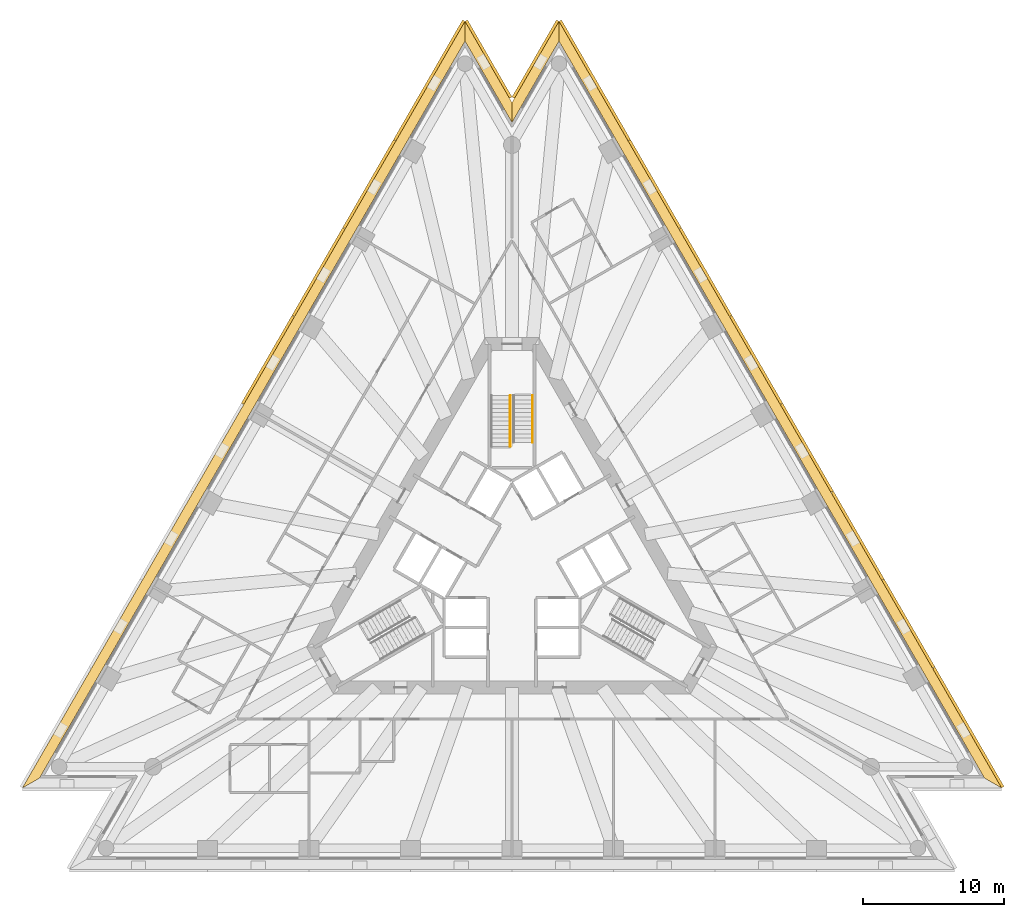
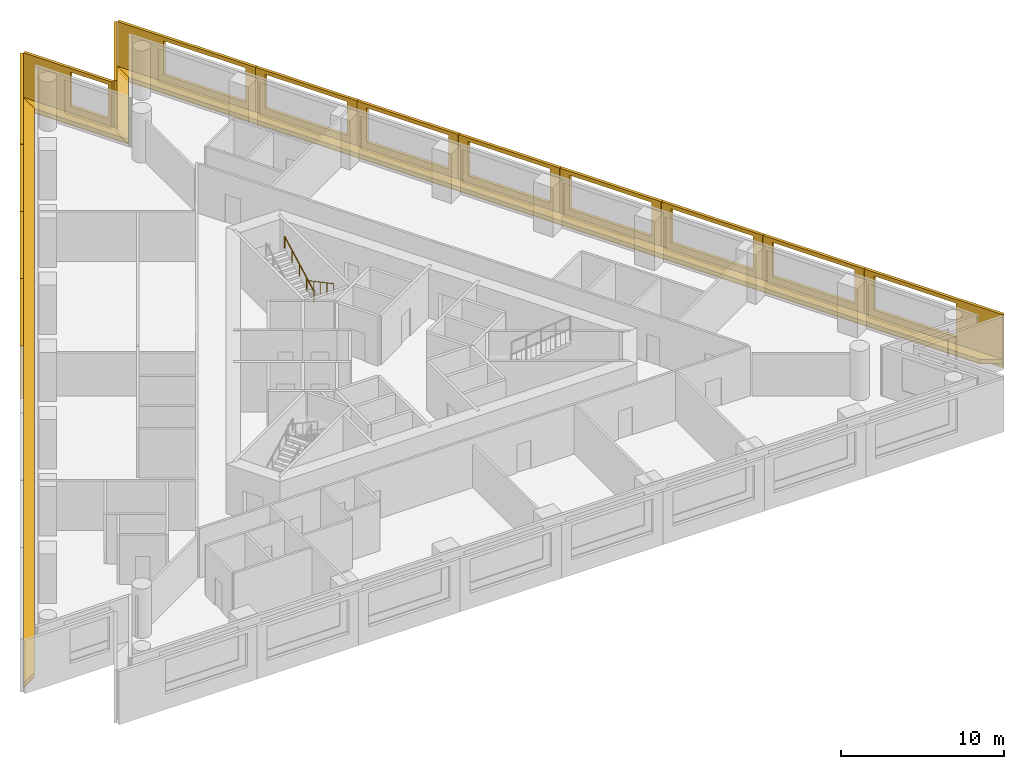
# One storey, part 11 of 11: 18 shading devices, 4 coverings, 2 railings, 1 element without a shape of its own.
"""IFC4 building model written with IfcOpenShell, lengths in metres."""

from ifc_helpers import new_model, si_unit, direction, frame, origin, origin_2d, place, context, subcontext, project, spatial, polyline, circle, outline, extrude, material, layer, layer_set, layer_usage, type_object, element, aggregate, save


model = new_model("IFC4")

# Units and contexts
model_context = context("Model", 3, precision=1e-05, world=origin(), true_north=direction((0.0, 1.0)))
body_context = subcontext(model_context, "Body", "Model", "MODEL_VIEW")
ifc_project = project(units=[si_unit("LENGTHUNIT", "METRE"), si_unit("AREAUNIT", "SQUARE_METRE"), si_unit("VOLUMEUNIT", "CUBIC_METRE"), si_unit("PLANEANGLEUNIT", "RADIAN"), si_unit("MASSUNIT", "GRAM", prefix="KILO")], contexts=[model_context])

# Site, building, storey
site_placement = place(None, origin())
site = spatial("IfcSite", under=ifc_project, at=site_placement, CompositionType="ELEMENT")
building_placement = place(site_placement, origin())
building = spatial("IfcBuilding", under=site, at=building_placement, Name="Triada Interchange Tower", CompositionType="ELEMENT")
storey_placement = place(building_placement, frame((0.0, 0.0, 87.300048828125)))
storey = spatial("IfcBuildingStorey", under=building, at=storey_placement, Name="L19", CompositionType="ELEMENT", Elevation=87.300048828125)

# Coverings
ifc_material_1 = material(Name="Mineral fire-stop board")
ifc_layer_1 = layer(ifc_material_1, 0.0400390625, Name="Mineral fire-stop board")
ifc_material_2 = material(Name="Intumescent sealant")
ifc_layer_2 = layer(ifc_material_2, 0.010009765625, Name="Intumescent seal")
ifc_layer_set_1 = layer_set([ifc_layer_1, ifc_layer_2], Name="Cavity fire stop")
ifc_layer_usage = layer_usage(ifc_layer_set_1, "AXIS3", "POSITIVE", 0.0)
covering_type = type_object("IfcCoveringType", Name="Cavity fire stop", PredefinedType="INSULATION", material=ifc_layer_set_1)
covering_1_placement = place(storey_placement, origin())
element("IfcCovering", 1, at=covering_1_placement, inside=storey, type_object=covering_type, material=ifc_layer_usage, Name="Cavity fire stop L19 NW", PredefinedType="INSULATION", context=body_context, shape_type="SweptSolid", body=[
    extrude(outline(polyline([(-3.324951171875, 36.698974609375), (-3.324951171875, 38.09912109375), (-34.656982421875, -16.169921875), (-33.445068359375, -15.469970703125), (-3.324951171875, 36.698974609375)])), origin(), (0.0, 0.0, 1.0), 0.050048828125),
])
covering_2_placement = place(storey_placement, origin())
element("IfcCovering", 2, at=covering_2_placement, inside=storey, type_object=covering_type, material=ifc_layer_usage, Name="Cavity fire stop L19 NE", PredefinedType="INSULATION", context=body_context, shape_type="SweptSolid", body=[
    extrude(outline(polyline([(33.445068359375, -15.469970703125), (34.656982421875, -16.169921875), (3.324951171875, 38.09912109375), (3.324951171875, 36.698974609375), (33.445068359375, -15.469970703125)])), origin(), (0.0, 0.0, 1.0), 0.050048828125),
])
covering_3_placement = place(storey_placement, origin())
element("IfcCovering", 3, at=covering_3_placement, inside=storey, type_object=covering_type, material=ifc_layer_usage, Name="Cavity fire stop L19 N-1", PredefinedType="INSULATION", context=body_context, shape_type="SweptSolid", body=[
    extrude(outline(polyline([(3.324951171875, 36.698974609375), (3.324951171875, 38.09912109375), (0.0, 32.340087890625), (0.0, 30.93994140625), (3.324951171875, 36.698974609375)])), origin(), (0.0, 0.0, 1.0), 0.050048828125),
])
covering_4_placement = place(storey_placement, origin())
element("IfcCovering", 4, at=covering_4_placement, inside=storey, type_object=covering_type, material=ifc_layer_usage, Name="Cavity fire stop L19 N-2", PredefinedType="INSULATION", context=body_context, shape_type="SweptSolid", body=[
    extrude(outline(polyline([(0.0, 30.93994140625), (0.0, 32.340087890625), (-3.324951171875, 38.09912109375), (-3.324951171875, 36.698974609375), (0.0, 30.93994140625)])), origin(), (0.0, 0.0, 1.0), 0.050048828125),
])

# Shading devices
ifc_material_3 = material(Name="Aluminium louvre", Category="aluminium")
shading_device_type_1 = type_object("IfcShadingDeviceType", Name="Cavity louvre grille", PredefinedType="JALOUSIE", material=ifc_material_3)
shading_device_1_placement = place(storey_placement, frame((0.0, 0.0, 0.050048828125)))
element("IfcShadingDevice", 5, at=shading_device_1_placement, inside=storey, type_object=shading_device_type_1, Name="Cavity louvre grille L19 NW", PredefinedType="JALOUSIE", context=body_context, shape_type="SweptSolid", body=[
    extrude(outline(polyline([(-3.324951171875, 36.698974609375), (-3.324951171875, 38.09912109375), (-34.656982421875, -16.169921875), (-33.445068359375, -15.469970703125), (-3.324951171875, 36.698974609375)])), origin(), (0.0, 0.0, 1.0), 0.2998046875),
])
shading_device_2_placement = place(storey_placement, frame((0.0, 0.0, 0.050048828125)))
element("IfcShadingDevice", 6, at=shading_device_2_placement, inside=storey, type_object=shading_device_type_1, Name="Cavity louvre grille L19 NE", PredefinedType="JALOUSIE", context=body_context, shape_type="SweptSolid", body=[
    extrude(outline(polyline([(33.445068359375, -15.469970703125), (34.656982421875, -16.169921875), (3.324951171875, 38.09912109375), (3.324951171875, 36.698974609375), (33.445068359375, -15.469970703125)])), origin(), (0.0, 0.0, 1.0), 0.2998046875),
])
shading_device_3_placement = place(storey_placement, frame((0.0, 0.0, 0.050048828125)))
element("IfcShadingDevice", 7, at=shading_device_3_placement, inside=storey, type_object=shading_device_type_1, Name="Cavity louvre grille L19 N-1", PredefinedType="JALOUSIE", context=body_context, shape_type="SweptSolid", body=[
    extrude(outline(polyline([(3.324951171875, 36.698974609375), (3.324951171875, 38.09912109375), (0.0, 32.340087890625), (0.0, 30.93994140625), (3.324951171875, 36.698974609375)])), origin(), (0.0, 0.0, 1.0), 0.2998046875),
])
shading_device_4_placement = place(storey_placement, frame((0.0, 0.0, 0.050048828125)))
element("IfcShadingDevice", 8, at=shading_device_4_placement, inside=storey, type_object=shading_device_type_1, Name="Cavity louvre grille L19 N-2", PredefinedType="JALOUSIE", context=body_context, shape_type="SweptSolid", body=[
    extrude(outline(polyline([(0.0, 30.93994140625), (0.0, 32.340087890625), (-3.324951171875, 38.09912109375), (-3.324951171875, 36.698974609375), (0.0, 30.93994140625)])), origin(), (0.0, 0.0, 1.0), 0.2998046875),
])
ifc_material_4 = material(Name="Concrete C50/60 precast", Category="concrete")
ifc_layer_3 = layer(ifc_material_4, 0.02001953125, Name="Exposed aggregate face")
ifc_layer_4 = layer(ifc_material_4, 0.179931640625, Name="Precast concrete screen")
ifc_layer_set_2 = layer_set([ifc_layer_3, ifc_layer_4], Name="Outer skin screen panel 3980")
shading_device_type_2 = type_object("IfcShadingDeviceType", Name="Outer skin screen panel 3980", PredefinedType="SHUTTER", material=ifc_layer_set_2)
shading_device_5_placement = place(storey_placement, frame((-3.330078125, 38.090087890625, -0.2900390625), z_axis=(0.0, 0.0, 1.0), x_axis=(-0.500034220881, -0.866005645448, 0.0)))
element("IfcShadingDevice", 9, at=shading_device_5_placement, inside=storey, type_object=shading_device_type_2, Name="Outer skin screen panel L19 01", PredefinedType="SHUTTER", context=body_context, shape_type="SweptSolid", body=[
    extrude(outline(polyline([(0.0, 0.0), (9.760986328125, 0.0), (9.760986328125, 3.97998046875), (0.0, 3.97998046875), (0.0, 0.0)]), holes=[polyline([(3.279541015625, 1.139892578125), (3.279541015625, 3.68994140625), (9.07958984375, 3.68994140625), (9.07958984375, 1.139892578125), (3.279541015625, 1.139892578125)])]), frame((0.0, 0.0, 0.0), z_axis=(0.0, -1.0, 0.0), x_axis=(1.0, 0.0, 0.0)), (0.0, 0.0, 1.0), 0.199951171875),
])
shading_device_6_placement = place(storey_placement, frame((-8.220947265625, 29.618896484375, -0.2900390625), z_axis=(0.0, 0.0, 1.0), x_axis=(-0.500024340962, -0.866011350067, 0.0)))
element("IfcShadingDevice", 10, at=shading_device_6_placement, inside=storey, type_object=shading_device_type_2, Name="Outer skin screen panel L19 02", PredefinedType="SHUTTER", context=body_context, shape_type="SweptSolid", body=[
    extrude(outline(polyline([(0.0, 0.0), (7.163818359375, 0.0), (7.163818359375, 3.97998046875), (0.0, 3.97998046875), (0.0, 0.0)]), holes=[polyline([(0.681884765625, 1.139892578125), (0.681884765625, 3.68994140625), (6.48193359375, 3.68994140625), (6.48193359375, 1.139892578125), (0.681884765625, 1.139892578125)])]), frame((0.0, 0.0, 0.0), z_axis=(0.0, -1.0, 0.0), x_axis=(1.0, 0.0, 0.0)), (0.0, 0.0, 1.0), 0.199951171875),
])
shading_device_7_placement = place(storey_placement, frame((-11.81298828125, 23.39794921875, -0.2900390625), z_axis=(0.0, 0.0, 1.0), x_axis=(-0.499922093299, -0.866070378567, 0.0)))
element("IfcShadingDevice", 11, at=shading_device_7_placement, inside=storey, type_object=shading_device_type_2, Name="Outer skin screen panel L19 03", PredefinedType="SHUTTER", context=body_context, shape_type="SweptSolid", body=[
    extrude(outline(polyline([(0.0, 0.0), (7.163330078125, 0.0), (7.163330078125, 3.97998046875), (0.0, 3.97998046875), (0.0, 0.0)]), holes=[polyline([(0.681396484375, 1.139892578125), (0.681396484375, 3.68994140625), (6.4814453125, 3.68994140625), (6.4814453125, 1.139892578125), (0.681396484375, 1.139892578125)])]), frame((0.0, 0.0, 0.0), z_axis=(0.0, -1.0, 0.0), x_axis=(1.0, 0.0, 0.0)), (0.0, 0.0, 1.0), 0.199951171875),
])
shading_device_8_placement = place(storey_placement, frame((-15.404052734375, 17.177001953125, -0.2900390625), z_axis=(0.0, 0.0, 1.0), x_axis=(-0.500009583697, -0.866019870564, 0.0)))
element("IfcShadingDevice", 12, at=shading_device_8_placement, inside=storey, type_object=shading_device_type_2, Name="Outer skin screen panel L19 04", PredefinedType="SHUTTER", context=body_context, shape_type="SweptSolid", body=[
    extrude(outline(polyline([(0.0, 0.0), (7.163818359375, 0.0), (7.163818359375, 3.97998046875), (0.0, 3.97998046875), (0.0, 0.0)]), holes=[polyline([(0.681884765625, 1.139892578125), (0.681884765625, 3.68994140625), (6.48193359375, 3.68994140625), (6.48193359375, 1.139892578125), (0.681884765625, 1.139892578125)])]), frame((0.0, 0.0, 0.0), z_axis=(0.0, -1.0, 0.0), x_axis=(1.0, 0.0, 0.0)), (0.0, 0.0, 1.0), 0.199951171875),
])
shading_device_9_placement = place(storey_placement, frame((34.652099609375, -16.160888671875, -0.2900390625), z_axis=(0.0, 0.0, 1.0), x_axis=(-0.500020487159, 0.866013575194, 0.0)))
element("IfcShadingDevice", 13, at=shading_device_9_placement, inside=storey, type_object=shading_device_type_2, Name="Outer skin screen panel L19 21", PredefinedType="SHUTTER", context=body_context, shape_type="SweptSolid", body=[
    extrude(outline(polyline([(0.0, 0.0), (9.76171875, 0.0), (9.76171875, 3.97998046875), (0.0, 3.97998046875), (0.0, 0.0)]), holes=[polyline([(3.279296875, 1.139892578125), (3.279296875, 3.68994140625), (9.079345703125, 3.68994140625), (9.079345703125, 1.139892578125), (3.279296875, 1.139892578125)])]), frame((0.0, 0.0, 0.0), z_axis=(0.0, -1.0, 0.0), x_axis=(1.0, 0.0, 0.0)), (0.0, 0.0, 1.0), 0.199951171875),
])
shading_device_10_placement = place(storey_placement, frame((29.760986328125, -7.68994140625, -0.2900390625), z_axis=(0.0, 0.0, 1.0), x_axis=(-0.499922093299, 0.866070378567, 0.0)))
element("IfcShadingDevice", 14, at=shading_device_10_placement, inside=storey, type_object=shading_device_type_2, Name="Outer skin screen panel L19 22", PredefinedType="SHUTTER", context=body_context, shape_type="SweptSolid", body=[
    extrude(outline(polyline([(0.0, 0.0), (7.163330078125, 0.0), (7.163330078125, 3.97998046875), (0.0, 3.97998046875), (0.0, 0.0)]), holes=[polyline([(0.681640625, 1.139892578125), (0.681640625, 3.68994140625), (6.481689453125, 3.68994140625), (6.481689453125, 1.139892578125), (0.681640625, 1.139892578125)])]), frame((0.0, 0.0, 0.0), z_axis=(0.0, -1.0, 0.0), x_axis=(1.0, 0.0, 0.0)), (0.0, 0.0, 1.0), 0.199951171875),
])
shading_device_11_placement = place(storey_placement, frame((26.169921875, -1.468994140625, -0.2900390625), z_axis=(0.0, 0.0, 1.0), x_axis=(-0.500009583697, 0.866019870564, 0.0)))
element("IfcShadingDevice", 15, at=shading_device_11_placement, inside=storey, type_object=shading_device_type_2, Name="Outer skin screen panel L19 23", PredefinedType="SHUTTER", context=body_context, shape_type="SweptSolid", body=[
    extrude(outline(polyline([(0.0, 0.0), (7.163818359375, 0.0), (7.163818359375, 3.97998046875), (0.0, 3.97998046875), (0.0, 0.0)]), holes=[polyline([(0.68212890625, 1.139892578125), (0.68212890625, 3.68994140625), (6.482177734375, 3.68994140625), (6.482177734375, 1.139892578125), (0.68212890625, 1.139892578125)])]), frame((0.0, 0.0, 0.0), z_axis=(0.0, -1.0, 0.0), x_axis=(1.0, 0.0, 0.0)), (0.0, 0.0, 1.0), 0.199951171875),
])
shading_device_12_placement = place(storey_placement, frame((22.577880859375, 4.751953125, -0.2900390625), z_axis=(0.0, 0.0, 1.0), x_axis=(-0.499984023993, 0.86603462734, 0.0)))
element("IfcShadingDevice", 16, at=shading_device_12_placement, inside=storey, type_object=shading_device_type_2, Name="Outer skin screen panel L19 24", PredefinedType="SHUTTER", context=body_context, shape_type="SweptSolid", body=[
    extrude(outline(polyline([(0.0, 0.0), (7.163818359375, 0.0), (7.163818359375, 3.97998046875), (0.0, 3.97998046875), (0.0, 0.0)]), holes=[polyline([(0.681640625, 1.139892578125), (0.681640625, 3.68994140625), (6.481689453125, 3.68994140625), (6.481689453125, 1.139892578125), (0.681640625, 1.139892578125)])]), frame((0.0, 0.0, 0.0), z_axis=(0.0, -1.0, 0.0), x_axis=(1.0, 0.0, 0.0)), (0.0, 0.0, 1.0), 0.199951171875),
])
shading_device_13_placement = place(storey_placement, frame((18.986083984375, 10.972900390625, -0.2900390625), z_axis=(0.0, 0.0, 1.0), x_axis=(-0.500009583697, 0.866019870564, 0.0)))
element("IfcShadingDevice", 17, at=shading_device_13_placement, inside=storey, type_object=shading_device_type_2, Name="Outer skin screen panel L19 25", PredefinedType="SHUTTER", context=body_context, shape_type="SweptSolid", body=[
    extrude(outline(polyline([(0.0, 0.0), (7.163818359375, 0.0), (7.163818359375, 3.97998046875), (0.0, 3.97998046875), (0.0, 0.0)]), holes=[polyline([(0.68212890625, 1.139892578125), (0.68212890625, 3.68994140625), (6.482177734375, 3.68994140625), (6.482177734375, 1.139892578125), (0.68212890625, 1.139892578125)])]), frame((0.0, 0.0, 0.0), z_axis=(0.0, -1.0, 0.0), x_axis=(1.0, 0.0, 0.0)), (0.0, 0.0, 1.0), 0.199951171875),
])
shading_device_14_placement = place(storey_placement, frame((15.39404296875, 17.194091796875, -0.2900390625), z_axis=(0.0, 0.0, 1.0), x_axis=(-0.499922093299, 0.866070378567, 0.0)))
element("IfcShadingDevice", 18, at=shading_device_14_placement, inside=storey, type_object=shading_device_type_2, Name="Outer skin screen panel L19 26", PredefinedType="SHUTTER", context=body_context, shape_type="SweptSolid", body=[
    extrude(outline(polyline([(0.0, 0.0), (7.163330078125, 0.0), (7.163330078125, 3.97998046875), (0.0, 3.97998046875), (0.0, 0.0)]), holes=[polyline([(0.681640625, 1.139892578125), (0.681640625, 3.68994140625), (6.481689453125, 3.68994140625), (6.481689453125, 1.139892578125), (0.681640625, 1.139892578125)])]), frame((0.0, 0.0, 0.0), z_axis=(0.0, -1.0, 0.0), x_axis=(1.0, 0.0, 0.0)), (0.0, 0.0, 1.0), 0.199951171875),
])
shading_device_15_placement = place(storey_placement, frame((11.802978515625, 23.4150390625, -0.2900390625), z_axis=(0.0, 0.0, 1.0), x_axis=(-0.500024340962, 0.866011350067, 0.0)))
element("IfcShadingDevice", 19, at=shading_device_15_placement, inside=storey, type_object=shading_device_type_2, Name="Outer skin screen panel L19 27", PredefinedType="SHUTTER", context=body_context, shape_type="SweptSolid", body=[
    extrude(outline(polyline([(0.0, 0.0), (7.163818359375, 0.0), (7.163818359375, 3.97998046875), (0.0, 3.97998046875), (0.0, 0.0)]), holes=[polyline([(0.68212890625, 1.139892578125), (0.68212890625, 3.68994140625), (6.482177734375, 3.68994140625), (6.482177734375, 1.139892578125), (0.68212890625, 1.139892578125)])]), frame((0.0, 0.0, 0.0), z_axis=(0.0, -1.0, 0.0), x_axis=(1.0, 0.0, 0.0)), (0.0, 0.0, 1.0), 0.199951171875),
])
shading_device_16_placement = place(storey_placement, frame((8.2109375, 29.636962890625, -0.2900390625), z_axis=(0.0, 0.0, 1.0), x_axis=(-0.500034220881, 0.866005645448, 0.0)))
element("IfcShadingDevice", 20, at=shading_device_16_placement, inside=storey, type_object=shading_device_type_2, Name="Outer skin screen panel L19 28", PredefinedType="SHUTTER", context=body_context, shape_type="SweptSolid", body=[
    extrude(outline(polyline([(0.0, 0.0), (9.760986328125, 0.0), (9.760986328125, 3.97998046875), (0.0, 3.97998046875), (0.0, 0.0)]), holes=[polyline([(0.681396484375, 1.139892578125), (0.681396484375, 3.68994140625), (6.4814453125, 3.68994140625), (6.4814453125, 1.139892578125), (0.681396484375, 1.139892578125)])]), frame((0.0, 0.0, 0.0), z_axis=(0.0, -1.0, 0.0), x_axis=(1.0, 0.0, 0.0)), (0.0, 0.0, 1.0), 0.199951171875),
])
shading_device_17_placement = place(storey_placement, frame((3.320068359375, 38.090087890625, -0.2900390625), z_axis=(0.0, 0.0, 1.0), x_axis=(-0.500075608319, -0.8659817469, 0.0)))
element("IfcShadingDevice", 21, at=shading_device_17_placement, inside=storey, type_object=shading_device_type_2, Name="Outer skin screen panel L19 29", PredefinedType="SHUTTER", context=body_context, shape_type="SweptSolid", body=[
    extrude(outline(polyline([(0.0, 0.0), (6.283203125, 0.0), (6.283203125, 3.97998046875), (0.0, 3.97998046875), (0.0, 0.0)]), holes=[polyline([(3.175537109375, 1.139892578125), (3.175537109375, 3.68994140625), (5.9833984375, 3.68994140625), (5.9833984375, 1.139892578125), (3.175537109375, 1.139892578125)])]), frame((0.0, 0.0, 0.0), z_axis=(0.0, -1.0, 0.0), x_axis=(1.0, 0.0, 0.0)), (0.0, 0.0, 1.0), 0.199951171875),
])
shading_device_18_placement = place(storey_placement, frame((-0.177978515625, 32.64892578125, -0.2900390625), z_axis=(0.0, 0.0, 1.0), x_axis=(-0.500075608319, 0.8659817469, 0.0)))
element("IfcShadingDevice", 22, at=shading_device_18_placement, inside=storey, type_object=shading_device_type_2, Name="Outer skin screen panel L19 30", PredefinedType="SHUTTER", context=body_context, shape_type="SweptSolid", body=[
    extrude(outline(polyline([(0.0, 0.0), (6.283203125, 0.0), (6.283203125, 3.97998046875), (0.0, 3.97998046875), (0.0, 0.0)]), holes=[polyline([(0.300048828125, 1.139892578125), (0.300048828125, 3.68994140625), (2.9580078125, 3.68994140625), (2.9580078125, 1.139892578125), (0.300048828125, 1.139892578125)])]), frame((0.0, 0.0, 0.0), z_axis=(0.0, -1.0, 0.0), x_axis=(1.0, 0.0, 0.0)), (0.0, 0.0, 1.0), 0.199951171875),
])

# Stair, railings
ifc_material_5 = material(Name="Concrete C35/45", Category="concrete")
stair_type = type_object("IfcStairType", Name="HALF TURN STAIR 1400", PredefinedType="HALF_TURN_STAIR", material=ifc_material_5)
stair_placement = place(storey_placement, origin())
stair = element("IfcStair", 23, at=stair_placement, inside=storey, type_object=stair_type, Name="Exit stair S18-1", PredefinedType="HALF_TURN_STAIR")
ifc_material_6 = material(Name="Stainless steel 1.4301", Category="steel")
railing_type = type_object("IfcRailingType", Name="STAIR HANDRAIL 900", PredefinedType="HANDRAIL", material=ifc_material_6)
railing_1_placement = place(storey_placement, frame((1.449951171875, 11.60009765625, 0.159912109375)))
railing_1 = element("IfcRailing", 24, at=railing_1_placement, type_object=railing_type, Name="Handrail S18-1 1W", PredefinedType="HANDRAIL", context=body_context, shape_type="SweptSolid", body=[
    extrude(circle(Radius=0.02392578125, at=origin_2d()), frame((0.0, 0.0, 0.8759765625), z_axis=(0.0, -0.882354748157, 0.47058484719), x_axis=(1.0, 0.0, 0.0)), (0.0, 0.0, 1.0), 3.739990234375),
    extrude(circle(Radius=0.02099609375, at=origin_2d()), origin(), (0.0, 0.0, 1.0), 0.851806640625),
    extrude(circle(Radius=0.02099609375, at=origin_2d()), frame((0.0, -0.824951171875, 0.43994140625)), (0.0, 0.0, 1.0), 0.851806640625),
    extrude(circle(Radius=0.02099609375, at=origin_2d()), frame((0.0, -1.64990234375, 0.8798828125)), (0.0, 0.0, 1.0), 0.851806640625),
    extrude(circle(Radius=0.02099609375, at=origin_2d()), frame((0.0, -2.47509765625, 1.320068359375)), (0.0, 0.0, 1.0), 0.851806640625),
    extrude(circle(Radius=0.02099609375, at=origin_2d()), frame((0.0, -3.300048828125, 1.760009765625)), (0.0, 0.0, 1.0), 0.851806640625),
])
railing_2_placement = place(storey_placement, frame((-0.1201171875, 8.0, 2.079833984375)))
railing_2 = element("IfcRailing", 25, at=railing_2_placement, type_object=railing_type, Name="Handrail S18-1 2C", PredefinedType="HANDRAIL", context=body_context, shape_type="SweptSolid", body=[
    extrude(circle(Radius=0.02392578125, at=origin_2d()), frame((0.0, 0.0, 0.8759765625), z_axis=(0.0, 0.882341346394, 0.470609974867), x_axis=(-1.0, 0.0, 0.0)), (0.0, 0.0, 1.0), 4.080078125),
    extrude(circle(Radius=0.02099609375, at=origin_2d()), origin(), (0.0, 0.0, 1.0), 0.851806640625),
    extrude(circle(Radius=0.02099609375, at=origin_2d()), frame((0.0, 0.89990234375, 0.47998046875)), (0.0, 0.0, 1.0), 0.851806640625),
    extrude(circle(Radius=0.02099609375, at=origin_2d()), frame((0.0, 1.800048828125, 0.9599609375)), (0.0, 0.0, 1.0), 0.851806640625),
    extrude(circle(Radius=0.02099609375, at=origin_2d()), frame((0.0, 2.7001953125, 1.440185546875)), (0.0, 0.0, 1.0), 0.851806640625),
    extrude(circle(Radius=0.02099609375, at=origin_2d()), frame((0.0, 3.60009765625, 1.920166015625)), (0.0, 0.0, 1.0), 0.851806640625),
])
aggregate(stair, [railing_1, railing_2])

save(model, "model.ifc")
